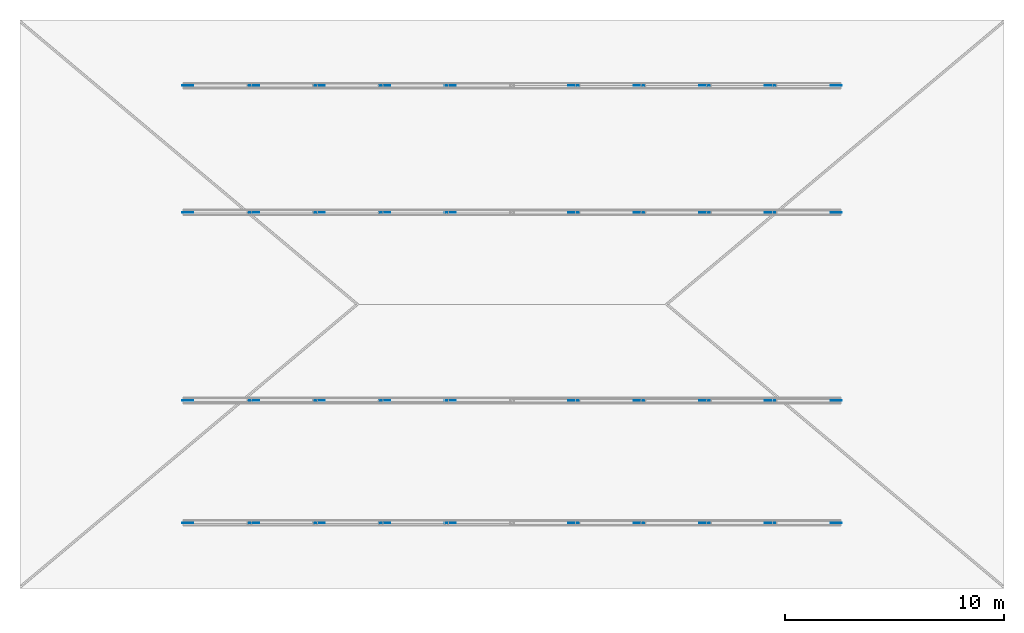
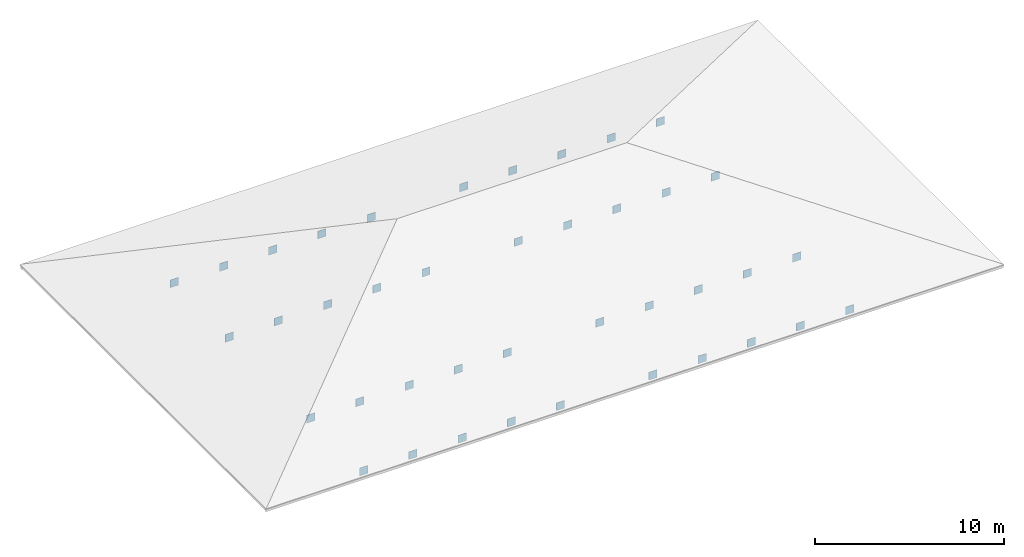
# One storey, part 5 of 6: 40 plates.
"""IFC4 building model written with IfcOpenShell, lengths in metres."""

import ifcopenshell
import ifcopenshell.guid

model = None  # the IFC model being written
_history = None  # IfcOwnerHistory: only IFC2X3 demands one
_inside = {}  # id of a spatial element -> (the spatial element, [elements in it])
_under = {}  # id of a project, library or spatial element -> (it, [spatial elements below it])
_declared = {}  # id of a project -> (the project, [libraries it declares])
_typed = {}  # id of a type object -> (the type object, [elements of that type])
_made_of = {}  # id of a material, layer set ... -> (it, [elements and type objects made of it])


def new_model(schema):
    """Start an empty IFC model of exactly this schema.

    Asked for "IFC4X3", IfcOpenShell would pick the latest addendum, in which some entities
    have other attributes; the version numbers below select the first issue.
    IFC2X3 requires an IfcOwnerHistory on every rooted entity: one is made here for all.
    """
    global model, _history
    if schema == "IFC4X3":
        model = ifcopenshell.file(schema_version=(4, 3, 0, 0))
    else:
        model = ifcopenshell.file(schema=schema)
    _inside.clear()
    _under.clear()
    _declared.clear()
    _typed.clear()
    _made_of.clear()
    _history = None
    if model.schema == "IFC2X3":
        org = make("IfcOrganization", Name="unknown")
        user = make(
            "IfcPersonAndOrganization",
            ThePerson=make("IfcPerson", FamilyName="unknown"),
            TheOrganization=org,
        )
        app = make(
            "IfcApplication",
            ApplicationDeveloper=org,
            Version="unknown",
            ApplicationFullName="unknown",
            ApplicationIdentifier="unknown",
        )
        _history = make(
            "IfcOwnerHistory",
            OwningUser=user,
            OwningApplication=app,
            ChangeAction="ADDED",
            CreationDate=0,
        )
    return model


def make(cls, **values):
    """One entity of the class cls with the attributes given. An attribute that is None is left unset."""
    return model.create_entity(
        cls, **{name: value for name, value in values.items() if value is not None}
    )


def rooted(cls, **values):
    """An entity with a GlobalId (a new one), such as an element, a storey or a relation."""
    return make(cls, GlobalId=ifcopenshell.guid.new(), OwnerHistory=_history, **values)


def si_unit(unit_type, name, prefix=None):
    """IfcSIUnit, for example si_unit("LENGTHUNIT", "METRE", prefix="MILLI")."""
    return make("IfcSIUnit", UnitType=unit_type, Prefix=prefix, Name=name)


def assignment(units):
    """IfcUnitAssignment: the units of a project."""
    return None if units is None else make("IfcUnitAssignment", Units=units)


def point(xyz):
    """IfcCartesianPoint."""
    return None if xyz is None else make("IfcCartesianPoint", Coordinates=xyz)


def direction(xyz):
    """IfcDirection."""
    return None if xyz is None else make("IfcDirection", DirectionRatios=xyz)


def frame(location, z_axis=None, x_axis=None):
    """IfcAxis2Placement3D, a coordinate frame: its origin and axes. An axis left out is left unset."""
    return make(
        "IfcAxis2Placement3D",
        Location=point(location),
        Axis=direction(z_axis),
        RefDirection=direction(x_axis),
    )


def frame_2d(location, x_axis=None):
    """IfcAxis2Placement2D, a coordinate frame in the plane: its origin and x axis."""
    return make(
        "IfcAxis2Placement2D", Location=point(location), RefDirection=direction(x_axis)
    )


def origin():
    """The frame at (0, 0, 0) with its axes left unset."""
    return frame((0.0, 0.0, 0.0))


def origin_2d():
    """The frame at (0, 0) in the plane with its x axis left unset."""
    return frame_2d((0.0, 0.0))


def place(relative_to, where):
    """IfcLocalPlacement: puts the frame where relative to a parent placement (None: the world)."""
    return make(
        "IfcLocalPlacement", PlacementRelTo=relative_to, RelativePlacement=where
    )


def context(
    kind, dimensions, precision=None, world=None, true_north=None, identifier=None
):
    """IfcGeometricRepresentationContext, for example the 3D "Model" context."""
    return make(
        "IfcGeometricRepresentationContext",
        ContextIdentifier=identifier,
        ContextType=kind,
        CoordinateSpaceDimension=dimensions,
        Precision=precision,
        WorldCoordinateSystem=world,
        TrueNorth=true_north,
    )


def subcontext(parent, identifier, kind, view, scale=None):
    """IfcGeometricRepresentationSubContext, for example "Body" below "Model"."""
    return make(
        "IfcGeometricRepresentationSubContext",
        ContextIdentifier=identifier,
        ContextType=kind,
        ParentContext=parent,
        TargetScale=scale,
        TargetView=view,
    )


def project(units=None, contexts=None):
    """IfcProject with its units and contexts."""
    return rooted(
        "IfcProject",
        Name="project",
        RepresentationContexts=contexts,
        UnitsInContext=assignment(units),
    )


def spatial(cls, under=None, at=None, **own):
    """A site, building, storey or space (cls), placed at a placement, below another one or the project."""
    s = rooted(cls, ObjectPlacement=at, **own)
    if under is not None:
        _under.setdefault(under.id(), (under, []))[1].append(s)
    return s


def profile(cls, at=None, kind="AREA", **sizes):
    """A parametric profile (cls). Its sizes go by their IFC names, for example OverallWidth=200.0."""
    return make(cls, ProfileType=kind, Position=at, **sizes)


def rectangle(**sizes):
    """IfcRectangleProfileDef."""
    return profile("IfcRectangleProfileDef", **sizes)


def extrude(swept, where, along, depth):
    """IfcExtrudedAreaSolid: the profile swept, set in the frame where, extruded along a direction by depth."""
    return make(
        "IfcExtrudedAreaSolid",
        SweptArea=swept,
        Position=where,
        ExtrudedDirection=direction(along),
        Depth=depth,
    )


def shape(context_of_items, identifier, shape_type, items):
    """IfcShapeRepresentation: the items that make up one representation, for example the "Body"."""
    return make(
        "IfcShapeRepresentation",
        ContextOfItems=context_of_items,
        RepresentationIdentifier=identifier,
        RepresentationType=shape_type,
        Items=items,
    )


def material(Name=None, Category=None):
    """IfcMaterial."""
    return make("IfcMaterial", Name=Name, Category=Category)


def layer(
    of_material, thickness, ventilated=None, Name=None, Category=None, Priority=None
):
    """IfcMaterialLayer: one layer of a wall or slab, of a material (None: an air gap)."""
    return make(
        "IfcMaterialLayer",
        Material=of_material,
        LayerThickness=thickness,
        IsVentilated=ventilated,
        Name=Name,
        Category=Category,
        Priority=Priority,
    )


def layer_set(layers, Name=None):
    """IfcMaterialLayerSet."""
    return make("IfcMaterialLayerSet", MaterialLayers=layers, LayerSetName=Name)


def made_of(thing, what):
    """Note that an element or type object is made of a material, layer set ...; save() writes the relation."""
    if what is not None:
        _made_of.setdefault(what.id(), (what, []))[1].append(thing)
    return thing


def type_object(cls, material=None, **own):
    """A type object (cls), such as IfcWallType, which elements share."""
    return made_of(rooted(cls, **own), material)


def element(
    cls,
    number,
    at=None,
    inside=None,
    cuts=None,
    type_object=None,
    material=None,
    context=None,
    identifier="Body",
    shape_type=None,
    held_by="IfcProductDefinitionShape",
    body=None,
    shapes=None,
    **own,
):
    """One element of the class cls, such as IfcWall. Its Tag is "e" and its number.

    at: its placement. inside: the storey or other place that contains it. cuts: it is an
    opening in that element (IfcRelVoidsElement). A single representation is given by context,
    identifier, shape_type and body (its items); several are given by shapes. held_by: the class
    of the entity that holds the representations. save() writes the other relations.
    """
    e = rooted(cls, Tag="e%d" % number, ObjectPlacement=at, **own)
    if body is not None:
        shapes = [shape(context, identifier, shape_type, body)]
    if shapes is not None:
        e.Representation = make(held_by, Representations=shapes)
    if inside is not None:
        _inside.setdefault(inside.id(), (inside, []))[1].append(e)
    if cuts is not None:
        rooted(
            "IfcRelVoidsElement", RelatingBuildingElement=cuts, RelatedOpeningElement=e
        )
    if type_object is not None:
        _typed.setdefault(type_object.id(), (type_object, []))[1].append(e)
    return made_of(e, material)


def aggregate(whole, parts):
    """IfcRelAggregates: a whole, such as a stair, and the parts it consists of."""
    return rooted("IfcRelAggregates", RelatingObject=whole, RelatedObjects=parts)


def save(model, path):
    """Write the relations noted so far, then the file.

    IfcRelAggregates (storeys below a building ...), IfcRelContainedInSpatialStructure (elements
    in a storey), IfcRelDefinesByType, IfcRelAssociatesMaterial and IfcRelDeclares: one each for
    every whole, place, type object, material and project.
    """
    for whole, parts in _under.values():
        aggregate(whole, parts)
    for where, things in _inside.values():
        rooted(
            "IfcRelContainedInSpatialStructure",
            RelatedElements=things,
            RelatingStructure=where,
        )
    for kind, things in _typed.values():
        rooted("IfcRelDefinesByType", RelatedObjects=things, RelatingType=kind)
    for what, things in _made_of.values():
        rooted("IfcRelAssociatesMaterial", RelatedObjects=things, RelatingMaterial=what)
    for by, libraries in _declared.values():
        rooted("IfcRelDeclares", RelatingContext=by, RelatedDefinitions=libraries)
    model.write(path)


model = new_model("IFC4")

# Units and contexts
model_context = context("Model", 3, precision=1e-05, world=origin(), true_north=direction((0.0, 1.0)))
body_context = subcontext(model_context, "Body", "Model", "MODEL_VIEW")
ifc_project = project(units=[si_unit("LENGTHUNIT", "METRE"), si_unit("AREAUNIT", "SQUARE_METRE"), si_unit("VOLUMEUNIT", "CUBIC_METRE"), si_unit("PLANEANGLEUNIT", "RADIAN"), si_unit("MASSUNIT", "GRAM", prefix="KILO")], contexts=[model_context])

# Site, building, storey
site_placement = place(None, origin())
site = spatial("IfcSite", under=ifc_project, at=site_placement, CompositionType="ELEMENT")
building_placement = place(site_placement, origin())
building = spatial("IfcBuilding", under=site, at=building_placement, Name="Muzn Square Opera House", CompositionType="ELEMENT")
storey_placement = place(building_placement, frame((0.0, 0.0, 35.39990234375)))
storey = spatial("IfcBuildingStorey", under=building, at=storey_placement, Name="RF-2", CompositionType="ELEMENT", Elevation=35.39990234375)

# Plates
ifc_material = material(Name="Steel S355", Category="steel")
ifc_layer = layer(ifc_material, 0.028076171875, Name="Steel S355", Category="steel")
ifc_layer_set = layer_set([ifc_layer], Name="Steel S355")
plate_type = type_object("IfcPlateType", Name="Stage Truss Gusset Plate 28mm 500x500", PredefinedType="USERDEFINED", material=ifc_layer_set)
for number, where, z_axis, x_axis, name in (
    (1, (73.179931640625, 75.60009765625, -2.25), (0.0, 0.0, 1.0), (1.0, 0.0, 0.0), "Stage Roof Truss Node Gusset T1-0"),
    (2, (76.179931640625, 75.60009765625, -2.25), (0.0, 0.0, 1.0), (1.0, 0.0, 0.0), "Stage Roof Truss Node Gusset T1-1"),
    (3, (79.179931640625, 75.60009765625, -2.25), (0.0, 0.0, 1.0), (1.0, 0.0, 0.0), "Stage Roof Truss Node Gusset T1-2"),
    (4, (82.179931640625, 75.60009765625, -2.25), (0.0, 0.0, 1.0), (1.0, 0.0, 0.0), "Stage Roof Truss Node Gusset T1-3"),
    (5, (85.179931640625, 75.60009765625, -2.25), (0.0, 0.0, 1.0), (1.0, 0.0, 0.0), "Stage Roof Truss Node Gusset T1-4"),
    (6, (90.820068359375, 75.60009765625, -2.25), (0.0, 0.0, 1.0), (1.0, 0.0, 0.0), "Stage Roof Truss Node Gusset T1-5"),
    (7, (93.820068359375, 75.60009765625, -2.25), (0.0, 0.0, 1.0), (1.0, 0.0, 0.0), "Stage Roof Truss Node Gusset T1-6"),
    (8, (96.820068359375, 75.60009765625, -2.25), (0.0, 0.0, 1.0), (1.0, 0.0, 0.0), "Stage Roof Truss Node Gusset T1-7"),
    (9, (99.820068359375, 75.60009765625, -2.25), (0.0, 0.0, 1.0), (1.0, 0.0, 0.0), "Stage Roof Truss Node Gusset T1-8"),
    (10, (102.820068359375, 75.60009765625, -2.25), (0.0, 0.0, 1.0), (1.0, 0.0, 0.0), "Stage Roof Truss Node Gusset T1-9"),
    (11, (73.179931640625, 81.199951171875, -2.25), (0.0, 0.0, 1.0), (1.0, 0.0, 0.0), "Stage Roof Truss Node Gusset T2-0"),
    (12, (76.179931640625, 81.199951171875, -2.25), (0.0, 0.0, 1.0), (1.0, 0.0, 0.0), "Stage Roof Truss Node Gusset T2-1"),
    (13, (79.179931640625, 81.199951171875, -2.25), (0.0, 0.0, 1.0), (1.0, 0.0, 0.0), "Stage Roof Truss Node Gusset T2-2"),
    (14, (82.179931640625, 81.199951171875, -2.25), (0.0, 0.0, 1.0), (1.0, 0.0, 0.0), "Stage Roof Truss Node Gusset T2-3"),
    (15, (85.179931640625, 81.199951171875, -2.25), (0.0, 0.0, 1.0), (1.0, 0.0, 0.0), "Stage Roof Truss Node Gusset T2-4"),
    (16, (90.820068359375, 81.199951171875, -2.25), (0.0, 0.0, 1.0), (1.0, 0.0, 0.0), "Stage Roof Truss Node Gusset T2-5"),
    (17, (93.820068359375, 81.199951171875, -2.25), (0.0, 0.0, 1.0), (1.0, 0.0, 0.0), "Stage Roof Truss Node Gusset T2-6"),
    (18, (96.820068359375, 81.199951171875, -2.25), (0.0, 0.0, 1.0), (1.0, 0.0, 0.0), "Stage Roof Truss Node Gusset T2-7"),
    (19, (99.820068359375, 81.199951171875, -2.25), (0.0, 0.0, 1.0), (1.0, 0.0, 0.0), "Stage Roof Truss Node Gusset T2-8"),
    (20, (102.820068359375, 81.199951171875, -2.25), (0.0, 0.0, 1.0), (1.0, 0.0, 0.0), "Stage Roof Truss Node Gusset T2-9"),
    (21, (73.179931640625, 89.800048828125, -2.25), (0.0, 0.0, 1.0), (1.0, 0.0, 0.0), "Stage Roof Truss Node Gusset T3-0"),
    (22, (76.179931640625, 89.800048828125, -2.25), (0.0, 0.0, 1.0), (1.0, 0.0, 0.0), "Stage Roof Truss Node Gusset T3-1"),
    (23, (79.179931640625, 89.800048828125, -2.25), (0.0, 0.0, 1.0), (1.0, 0.0, 0.0), "Stage Roof Truss Node Gusset T3-2"),
    (24, (82.179931640625, 89.800048828125, -2.25), (0.0, 0.0, 1.0), (1.0, 0.0, 0.0), "Stage Roof Truss Node Gusset T3-3"),
    (25, (85.179931640625, 89.800048828125, -2.25), (0.0, 0.0, 1.0), (1.0, 0.0, 0.0), "Stage Roof Truss Node Gusset T3-4"),
    (26, (90.820068359375, 89.800048828125, -2.25), (0.0, 0.0, 1.0), (1.0, 0.0, 0.0), "Stage Roof Truss Node Gusset T3-5"),
    (27, (93.820068359375, 89.800048828125, -2.25), (0.0, 0.0, 1.0), (1.0, 0.0, 0.0), "Stage Roof Truss Node Gusset T3-6"),
    (28, (96.820068359375, 89.800048828125, -2.25), (0.0, 0.0, 1.0), (1.0, 0.0, 0.0), "Stage Roof Truss Node Gusset T3-7"),
    (29, (99.820068359375, 89.800048828125, -2.25), (0.0, 0.0, 1.0), (1.0, 0.0, 0.0), "Stage Roof Truss Node Gusset T3-8"),
    (30, (102.820068359375, 89.800048828125, -2.25), (0.0, 0.0, 1.0), (1.0, 0.0, 0.0), "Stage Roof Truss Node Gusset T3-9"),
    (31, (73.179931640625, 95.60009765625, -2.25), (0.0, 0.0, 1.0), (1.0, 0.0, 0.0), "Stage Roof Truss Node Gusset T4-0"),
    (32, (76.179931640625, 95.60009765625, -2.25), (0.0, 0.0, 1.0), (1.0, 0.0, 0.0), "Stage Roof Truss Node Gusset T4-1"),
    (33, (79.179931640625, 95.60009765625, -2.25), (0.0, 0.0, 1.0), (1.0, 0.0, 0.0), "Stage Roof Truss Node Gusset T4-2"),
    (34, (82.179931640625, 95.60009765625, -2.25), (0.0, 0.0, 1.0), (1.0, 0.0, 0.0), "Stage Roof Truss Node Gusset T4-3"),
    (35, (85.179931640625, 95.60009765625, -2.25), (0.0, 0.0, 1.0), (1.0, 0.0, 0.0), "Stage Roof Truss Node Gusset T4-4"),
    (36, (90.820068359375, 95.60009765625, -2.25), (0.0, 0.0, 1.0), (1.0, 0.0, 0.0), "Stage Roof Truss Node Gusset T4-5"),
    (37, (93.820068359375, 95.60009765625, -2.25), (0.0, 0.0, 1.0), (1.0, 0.0, 0.0), "Stage Roof Truss Node Gusset T4-6"),
    (38, (96.820068359375, 95.60009765625, -2.25), (0.0, 0.0, 1.0), (1.0, 0.0, 0.0), "Stage Roof Truss Node Gusset T4-7"),
    (39, (99.820068359375, 95.60009765625, -2.25), (0.0, 0.0, 1.0), (1.0, 0.0, 0.0), "Stage Roof Truss Node Gusset T4-8"),
    (40, (102.820068359375, 95.60009765625, -2.25), (0.0, 0.0, 1.0), (1.0, 0.0, 0.0), "Stage Roof Truss Node Gusset T4-9"),
):
    element("IfcPlate", number, at=place(storey_placement, frame(where, z_axis=z_axis, x_axis=x_axis)), inside=storey, type_object=plate_type, Name=name, ObjectType="GUSSET PLATE", PredefinedType="USERDEFINED", context=body_context, shape_type="SweptSolid", body=[
        extrude(rectangle(XDim=0.5, YDim=0.028076171875, at=origin_2d()), origin(), (0.0, 0.0, 1.0), 0.5),
    ])

save(model, "model.ifc")
